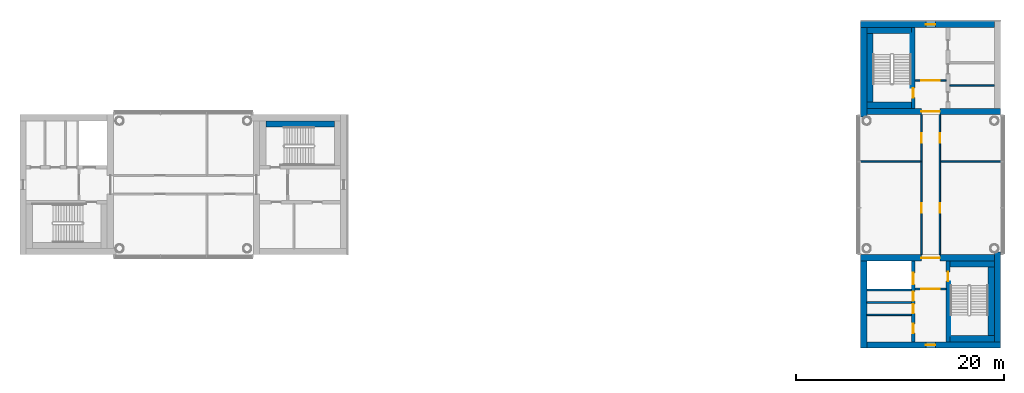
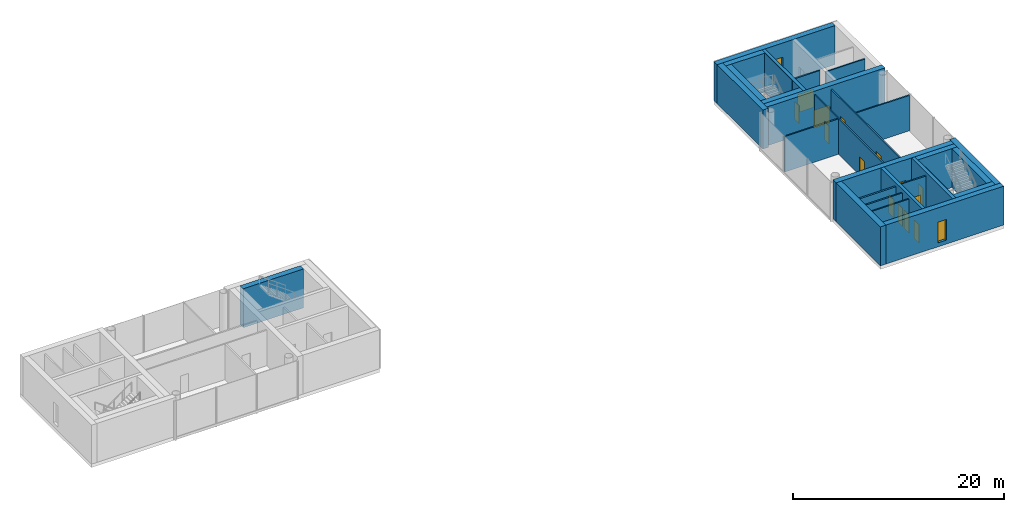
# One storey, part 6 of 12: 29 walls, 14 doors, 2 windows, 16 openings.
"""IFC4 building model written with IfcOpenShell, lengths in metres."""

from ifc_helpers import new_model, si_unit, direction, frame, frame_2d, origin, place, context, subcontext, project, spatial, rectangle, extrude, material, layer, layer_set, type_object, element, fill, save


model = new_model("IFC4")

# Units and contexts
model_context = context("Model", 3, precision=1e-05, world=origin(), true_north=direction((0.0, 1.0)))
body_context = subcontext(model_context, "Body", "Model", "MODEL_VIEW")
ifc_project = project(units=[si_unit("LENGTHUNIT", "METRE"), si_unit("AREAUNIT", "SQUARE_METRE"), si_unit("VOLUMEUNIT", "CUBIC_METRE"), si_unit("PLANEANGLEUNIT", "RADIAN"), si_unit("MASSUNIT", "GRAM", prefix="KILO")], contexts=[model_context])

# Site, building, storey
site_placement = place(None, origin())
site = spatial("IfcSite", under=ifc_project, at=site_placement, CompositionType="ELEMENT")
building_placement = place(site_placement, origin())
building = spatial("IfcBuilding", under=site, at=building_placement, Name="Ipe Terrace Towers", CompositionType="ELEMENT")
storey_placement = place(building_placement, frame((0.0, 0.0, 260.39990234375)))
storey = spatial("IfcBuildingStorey", under=building, at=storey_placement, Name="L71", CompositionType="ELEMENT", Elevation=260.39990234375)

# Wall, opening, door
ifc_material_1 = material(Name="Gypsum board partition", Category="plasterboard")
ifc_layer_1 = layer(ifc_material_1, 0.14990234375)
ifc_layer_set_1 = layer_set([ifc_layer_1], Name="Gypsum board partition 150 mm")
wall_type_1 = type_object("IfcWallType", Name="Gypsum board partition 150 mm", PredefinedType="PARTITIONING", material=ifc_layer_set_1)
wall_1_placement = place(storey_placement, frame((37.5, 10.050048828125, 0.0), z_axis=(0.0, 0.0, 1.0), x_axis=(-1.0, 0.0, 0.0)))
wall_1 = element("IfcWall", 1, at=wall_1_placement, inside=storey, type_object=wall_type_1, Name="Gypsum board partition T2 L71 t2c1-lobby-wall", PredefinedType="PARTITIONING", context=body_context, shape_type="SweptSolid", body=[
    extrude(rectangle(XDim=3.0, YDim=0.14990234375, at=frame_2d((1.5, 0.0))), origin(), (0.0, 0.0, 1.0), 4.090087890625),
])
opening_1_placement = place(wall_1_placement, frame((0.60009765625, 0.0, 0.0)))
opening_1 = element("IfcOpeningElement", 2, at=opening_1_placement, cuts=wall_1, Name="Opening T2C1-VD", PredefinedType="OPENING", context=body_context, shape_type="SweptSolid", body=[
    extrude(rectangle(XDim=1.800048828125, YDim=2.10009765625, at=frame_2d((0.89990234375, 1.050048828125))), frame((0.0, 0.0849609375, 0.0), z_axis=(0.0, -1.0, 0.0), x_axis=(1.0, 0.0, 0.0)), (0.0, 0.0, 1.0), 0.169921875),
])
ifc_material_2 = material(Name="Fire-rated timber door leaf", Category="wood")
door_type_1 = type_object("IfcDoorType", Name="Lobby door 1800 x 2100 FD60", OperationType="NOTDEFINED", PredefinedType="DOOR", material=ifc_material_2)
door_1_placement = place(opening_1_placement, origin())
door_1 = element("IfcDoor", 3, at=door_1_placement, inside=storey, type_object=door_type_1, Name="Lobby door T2C1-VD", OperationType="SINGLE_SWING_LEFT", OverallHeight=2.10009765625, OverallWidth=1.800048828125, PredefinedType="DOOR", context=body_context, shape_type="SweptSolid", body=[
    extrude(rectangle(XDim=1.800048828125, YDim=2.10009765625, at=frame_2d((0.89990234375, 1.050048828125))), frame((0.0, 0.02490234375, 0.0), z_axis=(0.0, -1.0, 0.0), x_axis=(1.0, 0.0, 0.0)), (0.0, 0.0, 1.0), 0.050048828125),
])
fill(opening_1, door_1)

# Wall
wall_2_placement = place(storey_placement, frame((42.14990234375, 9.550048828125, 0.0), z_axis=(0.0, 0.0, 1.0), x_axis=(-1.0, 0.0, 0.0)))
element("IfcWall", 4, at=wall_2_placement, inside=storey, type_object=wall_type_1, Name="Gypsum board partition T2 L71 t2c1-p2-div", PredefinedType="PARTITIONING", context=body_context, shape_type="SweptSolid", body=[
    extrude(rectangle(XDim=4.2998046875, YDim=0.14990234375, at=frame_2d((2.14990234375, 0.0))), origin(), (0.0, 0.0, 1.0), 4.090087890625),
])

# Wall, opening, door
wall_3_placement = place(storey_placement, frame((34.5, -10.050048828125, 0.0), z_axis=(0.0, 0.0, 1.0), x_axis=(1.0, 0.0, 0.0)))
wall_3 = element("IfcWall", 5, at=wall_3_placement, inside=storey, type_object=wall_type_1, Name="Gypsum board partition T2 L71 t2c2-lobby-wall", PredefinedType="PARTITIONING", context=body_context, shape_type="SweptSolid", body=[
    extrude(rectangle(XDim=3.0, YDim=0.14990234375, at=frame_2d((1.5, 0.0))), origin(), (0.0, 0.0, 1.0), 4.090087890625),
])
opening_2_placement = place(wall_3_placement, frame((0.60009765625, 0.0, 0.0)))
opening_2 = element("IfcOpeningElement", 6, at=opening_2_placement, cuts=wall_3, Name="Opening T2C2-VD", PredefinedType="OPENING", context=body_context, shape_type="SweptSolid", body=[
    extrude(rectangle(XDim=1.800048828125, YDim=2.10009765625, at=frame_2d((0.89990234375, 1.050048828125))), frame((0.0, 0.0849609375, 0.0), z_axis=(0.0, -1.0, 0.0), x_axis=(1.0, 0.0, 0.0)), (0.0, 0.0, 1.0), 0.169921875),
])
door_2_placement = place(opening_2_placement, origin())
door_2 = element("IfcDoor", 7, at=door_2_placement, inside=storey, type_object=door_type_1, Name="Lobby door T2C2-VD", OperationType="SINGLE_SWING_LEFT", OverallHeight=2.10009765625, OverallWidth=1.800048828125, PredefinedType="DOOR", context=body_context, shape_type="SweptSolid", body=[
    extrude(rectangle(XDim=1.800048828125, YDim=2.10009765625, at=frame_2d((0.89990234375, 1.050048828125))), frame((0.0, 0.02490234375, 0.0), z_axis=(0.0, -1.0, 0.0), x_axis=(1.0, 0.0, 0.0)), (0.0, 0.0, 1.0), 0.050048828125),
])
fill(opening_2, door_2)

# Walls
for number, where, z_axis, x_axis, name in (
    (8, (29.85009765625, -11.35009765625, 0.0), (0.0, 0.0, 1.0), (1.0, 0.0, 0.0), "Gypsum board partition T2 L71 t2c2-q2-div"),
    (9, (29.85009765625, -12.550048828125, 0.0), (0.0, 0.0, 1.0), (1.0, 0.0, 0.0), "Gypsum board partition T2 L71 t2c2-q3-div"),
):
    element("IfcWall", number, at=place(storey_placement, frame(where, z_axis=z_axis, x_axis=x_axis)), inside=storey, type_object=wall_type_1, Name=name, PredefinedType="PARTITIONING", context=body_context, shape_type="SweptSolid", body=[
        extrude(rectangle(XDim=4.2998046875, YDim=0.14990234375, at=frame_2d((2.14990234375, 0.0))), origin(), (0.0, 0.0, 1.0), 4.090087890625),
    ])

# Wall, openings, doors
wall_4_placement = place(storey_placement, frame((35.10009765625, -6.75, 0.0), z_axis=(0.0, 0.0, 1.0), x_axis=(0.0, 1.0, 0.0)))
wall_4 = element("IfcWall", 10, at=wall_4_placement, inside=storey, type_object=wall_type_1, Name="Gypsum board partition T2 L71 sp-hub-wp", PredefinedType="PARTITIONING", context=body_context, shape_type="SweptSolid", body=[
    extrude(rectangle(XDim=13.5, YDim=0.14990234375, at=frame_2d((6.75, 0.0))), origin(), (0.0, 0.0, 1.0), 4.090087890625),
])
opening_3_placement = place(wall_4_placement, frame((4.050048828125, 0.0, 0.0)))
opening_3 = element("IfcOpeningElement", 11, at=opening_3_placement, cuts=wall_4, Name="Opening T2-SP-HP1", PredefinedType="OPENING", context=body_context, shape_type="SweptSolid", body=[
    extrude(rectangle(XDim=0.89990234375, YDim=2.10009765625, at=frame_2d((0.449951171875, 1.050048828125))), frame((0.0, 0.0849609375, 0.0), z_axis=(0.0, -1.0, 0.0), x_axis=(1.0, 0.0, 0.0)), (0.0, 0.0, 1.0), 0.169921875),
])
opening_4_placement = place(wall_4_placement, frame((10.800048828125, 0.0, 0.0)))
opening_4 = element("IfcOpeningElement", 12, at=opening_4_placement, cuts=wall_4, Name="Opening T2-SP-HP2", PredefinedType="OPENING", context=body_context, shape_type="SweptSolid", body=[
    extrude(rectangle(XDim=0.89990234375, YDim=2.10009765625, at=frame_2d((0.449951171875, 1.050048828125))), frame((0.0, 0.0849609375, 0.0), z_axis=(0.0, -1.0, 0.0), x_axis=(1.0, 0.0, 0.0)), (0.0, 0.0, 1.0), 0.169921875),
])
ifc_material_3 = material(Name="Fire-rated timber door leaf", Category="wood")
door_type_2 = type_object("IfcDoorType", Name="Service door 900 x 2100 FD60", OperationType="NOTDEFINED", PredefinedType="DOOR", material=ifc_material_3)
door_3_placement = place(opening_3_placement, origin())
door_3 = element("IfcDoor", 13, at=door_3_placement, inside=storey, type_object=door_type_2, Name="Service door T2-SP-HP1", OperationType="SINGLE_SWING_RIGHT", OverallHeight=2.10009765625, OverallWidth=0.89990234375, PredefinedType="DOOR", context=body_context, shape_type="SweptSolid", body=[
    extrude(rectangle(XDim=0.89990234375, YDim=2.10009765625, at=frame_2d((0.449951171875, 1.050048828125))), frame((0.0, 0.02490234375, 0.0), z_axis=(0.0, -1.0, 0.0), x_axis=(1.0, 0.0, 0.0)), (0.0, 0.0, 1.0), 0.050048828125),
])
fill(opening_3, door_3)
door_4_placement = place(opening_4_placement, origin())
door_4 = element("IfcDoor", 14, at=door_4_placement, inside=storey, type_object=door_type_2, Name="Service door T2-SP-HP2", OperationType="SINGLE_SWING_LEFT", OverallHeight=2.10009765625, OverallWidth=0.89990234375, PredefinedType="DOOR", context=body_context, shape_type="SweptSolid", body=[
    extrude(rectangle(XDim=0.89990234375, YDim=2.10009765625, at=frame_2d((0.449951171875, 1.050048828125))), frame((0.0, 0.02490234375, 0.0), z_axis=(0.0, -1.0, 0.0), x_axis=(1.0, 0.0, 0.0)), (0.0, 0.0, 1.0), 0.050048828125),
])
fill(opening_4, door_4)

# Wall
wall_5_placement = place(storey_placement, frame((35.02490234375, 2.25, 0.0), z_axis=(0.0, 0.0, 1.0), x_axis=(-1.0, 0.0, 0.0)))
element("IfcWall", 15, at=wall_5_placement, inside=storey, type_object=wall_type_1, Name="Gypsum board partition T2 L71 sp-hub-dp", PredefinedType="PARTITIONING", context=body_context, shape_type="SweptSolid", body=[
    extrude(rectangle(XDim=5.875, YDim=0.14990234375, at=frame_2d((2.9375, 0.0))), origin(), (0.0, 0.0, 1.0), 4.090087890625),
])

# Wall, openings, doors
wall_6_placement = place(storey_placement, frame((36.89990234375, -6.75, 0.0), z_axis=(0.0, 0.0, 1.0), x_axis=(0.0, 1.0, 0.0)))
wall_6 = element("IfcWall", 16, at=wall_6_placement, inside=storey, type_object=wall_type_1, Name="Gypsum board partition T2 L71 sp-hub-wm", PredefinedType="PARTITIONING", context=body_context, shape_type="SweptSolid", body=[
    extrude(rectangle(XDim=13.5, YDim=0.14990234375, at=frame_2d((6.75, 0.0))), origin(), (0.0, 0.0, 1.0), 4.090087890625),
])
opening_5_placement = place(wall_6_placement, frame((4.050048828125, 0.0, 0.0)))
opening_5 = element("IfcOpeningElement", 17, at=opening_5_placement, cuts=wall_6, Name="Opening T2-SP-HM1", PredefinedType="OPENING", context=body_context, shape_type="SweptSolid", body=[
    extrude(rectangle(XDim=0.89990234375, YDim=2.10009765625, at=frame_2d((0.449951171875, 1.050048828125))), frame((0.0, 0.0849609375, 0.0), z_axis=(0.0, -1.0, 0.0), x_axis=(1.0, 0.0, 0.0)), (0.0, 0.0, 1.0), 0.169921875),
])
opening_6_placement = place(wall_6_placement, frame((10.800048828125, 0.0, 0.0)))
opening_6 = element("IfcOpeningElement", 18, at=opening_6_placement, cuts=wall_6, Name="Opening T2-SP-HM2", PredefinedType="OPENING", context=body_context, shape_type="SweptSolid", body=[
    extrude(rectangle(XDim=0.89990234375, YDim=2.10009765625, at=frame_2d((0.449951171875, 1.050048828125))), frame((0.0, 0.0849609375, 0.0), z_axis=(0.0, -1.0, 0.0), x_axis=(1.0, 0.0, 0.0)), (0.0, 0.0, 1.0), 0.169921875),
])
door_5_placement = place(opening_5_placement, origin())
door_5 = element("IfcDoor", 19, at=door_5_placement, inside=storey, type_object=door_type_2, Name="Service door T2-SP-HM1", OperationType="SINGLE_SWING_LEFT", OverallHeight=2.10009765625, OverallWidth=0.89990234375, PredefinedType="DOOR", context=body_context, shape_type="SweptSolid", body=[
    extrude(rectangle(XDim=0.89990234375, YDim=2.10009765625, at=frame_2d((0.449951171875, 1.050048828125))), frame((0.0, 0.02490234375, 0.0), z_axis=(0.0, -1.0, 0.0), x_axis=(1.0, 0.0, 0.0)), (0.0, 0.0, 1.0), 0.050048828125),
])
fill(opening_5, door_5)
door_6_placement = place(opening_6_placement, origin())
door_6 = element("IfcDoor", 20, at=door_6_placement, inside=storey, type_object=door_type_2, Name="Service door T2-SP-HM2", OperationType="SINGLE_SWING_RIGHT", OverallHeight=2.10009765625, OverallWidth=0.89990234375, PredefinedType="DOOR", context=body_context, shape_type="SweptSolid", body=[
    extrude(rectangle(XDim=0.89990234375, YDim=2.10009765625, at=frame_2d((0.449951171875, 1.050048828125))), frame((0.0, 0.02490234375, 0.0), z_axis=(0.0, -1.0, 0.0), x_axis=(1.0, 0.0, 0.0)), (0.0, 0.0, 1.0), 0.050048828125),
])
fill(opening_6, door_6)

# Walls
wall_7_placement = place(storey_placement, frame((36.97509765625, 2.25, 0.0), z_axis=(0.0, 0.0, 1.0), x_axis=(1.0, 0.0, 0.0)))
element("IfcWall", 21, at=wall_7_placement, inside=storey, type_object=wall_type_1, Name="Gypsum board partition T2 L71 sp-hub-dm", PredefinedType="PARTITIONING", context=body_context, shape_type="SweptSolid", body=[
    extrude(rectangle(XDim=5.875, YDim=0.14990234375, at=frame_2d((2.9375, 0.0))), origin(), (0.0, 0.0, 1.0), 4.090087890625),
])
ifc_material_4 = material(Name="Gypsum board party wall", Category="plasterboard")
ifc_layer_2 = layer(ifc_material_4, 0.199951171875)
ifc_layer_set_2 = layer_set([ifc_layer_2], Name="Gypsum board party wall 200 mm")
wall_type_2 = type_object("IfcWallType", Name="Gypsum board party wall 200 mm", PredefinedType="SOLIDWALL", material=ifc_layer_set_2)
wall_8_placement = place(storey_placement, frame((29.85009765625, -10.14990234375, 0.0), z_axis=(0.0, 0.0, 1.0), x_axis=(1.0, 0.0, 0.0)))
element("IfcWall", 22, at=wall_8_placement, inside=storey, type_object=wall_type_2, Name="Gypsum board party wall T2 L71 t2c2-shaft-div1", PredefinedType="SOLIDWALL", context=body_context, shape_type="SweptSolid", body=[
    extrude(rectangle(XDim=4.2998046875, YDim=0.199951171875, at=frame_2d((2.14990234375, 0.0))), origin(), (0.0, 0.0, 1.0), 4.090087890625),
])

# Wall, opening, door
ifc_material_5 = material(Name="Concrete C40/50", Category="concrete")
ifc_layer_3 = layer(ifc_material_5, 0.35009765625)
ifc_layer_set_3 = layer_set([ifc_layer_3], Name="RW350 CORE SPINE WALL 350 C40-50")
wall_type_3 = type_object("IfcWallType", Name="RW350 CORE SPINE WALL 350 C40-50", PredefinedType="SHEAR", material=ifc_layer_set_3)
wall_9_placement = place(storey_placement, frame((34.324951171875, 7.35009765625, 0.0), z_axis=(0.0, 0.0, 1.0), x_axis=(0.0, 1.0, 0.0)))
wall_9 = element("IfcWall", 23, at=wall_9_placement, inside=storey, type_object=wall_type_3, Name="Core spine wall T2-C1-Z4-SW1", PredefinedType="SHEAR", context=body_context, shape_type="SweptSolid", body=[
    extrude(rectangle(XDim=7.7998046875, YDim=0.35009765625, at=frame_2d((3.89990234375, 0.0))), origin(), (0.0, 0.0, 1.0), 4.5),
])
opening_7_placement = place(wall_9_placement, frame((1.050048828125, 0.0, 0.0)))
opening_7 = element("IfcOpeningElement", 24, at=opening_7_placement, cuts=wall_9, Name="Opening T2C1-SD", PredefinedType="OPENING", context=body_context, shape_type="SweptSolid", body=[
    extrude(rectangle(XDim=0.89990234375, YDim=2.10009765625, at=frame_2d((0.449951171875, 1.050048828125))), frame((0.0, 0.18505859375, 0.0), z_axis=(0.0, -1.0, 0.0), x_axis=(1.0, 0.0, 0.0)), (0.0, 0.0, 1.0), 0.3701171875),
])
ifc_material_6 = material(Name="Fire-rated timber door leaf", Category="wood")
door_type_3 = type_object("IfcDoorType", Name="Stair door 900 x 2100 FD60", OperationType="NOTDEFINED", PredefinedType="DOOR", material=ifc_material_6)
door_7_placement = place(opening_7_placement, origin())
door_7 = element("IfcDoor", 25, at=door_7_placement, inside=storey, type_object=door_type_3, Name="Stair door T2C1-SD", OperationType="SINGLE_SWING_LEFT", OverallHeight=2.10009765625, OverallWidth=0.89990234375, PredefinedType="DOOR", context=body_context, shape_type="SweptSolid", body=[
    extrude(rectangle(XDim=0.89990234375, YDim=2.10009765625, at=frame_2d((0.449951171875, 1.050048828125))), frame((0.0, 0.02490234375, 0.0), z_axis=(0.0, -1.0, 0.0), x_axis=(1.0, 0.0, 0.0)), (0.0, 0.0, 1.0), 0.050048828125),
])
fill(opening_7, door_7)

# Wall, openings, doors
wall_10_placement = place(storey_placement, frame((34.324951171875, -15.14990234375, 0.0), z_axis=(0.0, 0.0, 1.0), x_axis=(0.0, 1.0, 0.0)))
wall_10 = element("IfcWall", 26, at=wall_10_placement, inside=storey, type_object=wall_type_3, Name="Core spine wall T2-C2-Z4-SW1", PredefinedType="SHEAR", context=body_context, shape_type="SweptSolid", body=[
    extrude(rectangle(XDim=7.7998046875, YDim=0.35009765625, at=frame_2d((3.89990234375, 0.0))), origin(), (0.0, 0.0, 1.0), 4.5),
])
opening_8_placement = place(wall_10_placement, frame((5.550048828125, 0.0, 0.0)))
opening_8 = element("IfcOpeningElement", 27, at=opening_8_placement, cuts=wall_10, Name="Opening T2C2-LD1", PredefinedType="OPENING", context=body_context, shape_type="SweptSolid", body=[
    extrude(rectangle(XDim=1.10009765625, YDim=2.10009765625, at=frame_2d((0.550048828125, 1.050048828125))), frame((0.0, 0.18505859375, 0.0), z_axis=(0.0, -1.0, 0.0), x_axis=(1.0, 0.0, 0.0)), (0.0, 0.0, 1.0), 0.3701171875),
])
opening_9_placement = place(wall_10_placement, frame((3.949951171875, 0.0, 0.0)))
opening_9 = element("IfcOpeningElement", 28, at=opening_9_placement, cuts=wall_10, Name="Opening T2C2-R1", PredefinedType="OPENING", context=body_context, shape_type="SweptSolid", body=[
    extrude(rectangle(XDim=0.89990234375, YDim=2.10009765625, at=frame_2d((0.449951171875, 1.050048828125))), frame((0.0, 0.18505859375, 0.0), z_axis=(0.0, -1.0, 0.0), x_axis=(1.0, 0.0, 0.0)), (0.0, 0.0, 1.0), 0.3701171875),
])
opening_10_placement = place(wall_10_placement, frame((2.75, 0.0, 0.0)))
opening_10 = element("IfcOpeningElement", 29, at=opening_10_placement, cuts=wall_10, Name="Opening T2C2-R2", PredefinedType="OPENING", context=body_context, shape_type="SweptSolid", body=[
    extrude(rectangle(XDim=0.89990234375, YDim=2.10009765625, at=frame_2d((0.449951171875, 1.050048828125))), frame((0.0, 0.18505859375, 0.0), z_axis=(0.0, -1.0, 0.0), x_axis=(1.0, 0.0, 0.0)), (0.0, 0.0, 1.0), 0.3701171875),
])
opening_11_placement = place(wall_10_placement, frame((0.85009765625, 0.0, 0.0)))
opening_11 = element("IfcOpeningElement", 30, at=opening_11_placement, cuts=wall_10, Name="Opening T2C2-R3", PredefinedType="OPENING", context=body_context, shape_type="SweptSolid", body=[
    extrude(rectangle(XDim=0.89990234375, YDim=2.10009765625, at=frame_2d((0.449951171875, 1.050048828125))), frame((0.0, 0.18505859375, 0.0), z_axis=(0.0, -1.0, 0.0), x_axis=(1.0, 0.0, 0.0)), (0.0, 0.0, 1.0), 0.3701171875),
])
ifc_material_7 = material(Name="Fire-rated timber door leaf", Category="wood")
door_type_4 = type_object("IfcDoorType", Name="Sliding door 1100 x 2100 FD60", OperationType="SLIDING_TO_LEFT", PredefinedType="DOOR", material=ifc_material_7)
door_8_placement = place(opening_8_placement, origin())
door_8 = element("IfcDoor", 31, at=door_8_placement, inside=storey, type_object=door_type_4, Name="Sliding door T2C2-LD1", OperationType="SLIDING_TO_LEFT", OverallHeight=2.10009765625, OverallWidth=1.10009765625, PredefinedType="DOOR", context=body_context, shape_type="SweptSolid", body=[
    extrude(rectangle(XDim=1.10009765625, YDim=2.10009765625, at=frame_2d((0.550048828125, 1.050048828125))), frame((0.0, 0.02490234375, 0.0), z_axis=(0.0, -1.0, 0.0), x_axis=(1.0, 0.0, 0.0)), (0.0, 0.0, 1.0), 0.050048828125),
])
fill(opening_8, door_8)
ifc_material_8 = material(Name="Timber door leaf", Category="wood")
door_type_5 = type_object("IfcDoorType", Name="Store door 900 x 2100", OperationType="NOTDEFINED", PredefinedType="DOOR", material=ifc_material_8)
door_9_placement = place(opening_9_placement, origin())
door_9 = element("IfcDoor", 32, at=door_9_placement, inside=storey, type_object=door_type_5, Name="Store door T2C2-R1", OperationType="SINGLE_SWING_LEFT", OverallHeight=2.10009765625, OverallWidth=0.89990234375, PredefinedType="DOOR", context=body_context, shape_type="SweptSolid", body=[
    extrude(rectangle(XDim=0.89990234375, YDim=2.10009765625, at=frame_2d((0.449951171875, 1.050048828125))), frame((0.0, 0.02490234375, 0.0), z_axis=(0.0, -1.0, 0.0), x_axis=(1.0, 0.0, 0.0)), (0.0, 0.0, 1.0), 0.050048828125),
])
fill(opening_9, door_9)
door_10_placement = place(opening_10_placement, origin())
door_10 = element("IfcDoor", 33, at=door_10_placement, inside=storey, type_object=door_type_5, Name="Store door T2C2-R2", OperationType="SINGLE_SWING_RIGHT", OverallHeight=2.10009765625, OverallWidth=0.89990234375, PredefinedType="DOOR", context=body_context, shape_type="SweptSolid", body=[
    extrude(rectangle(XDim=0.89990234375, YDim=2.10009765625, at=frame_2d((0.449951171875, 1.050048828125))), frame((0.0, 0.02490234375, 0.0), z_axis=(0.0, -1.0, 0.0), x_axis=(1.0, 0.0, 0.0)), (0.0, 0.0, 1.0), 0.050048828125),
])
fill(opening_10, door_10)
door_11_placement = place(opening_11_placement, origin())
door_11 = element("IfcDoor", 34, at=door_11_placement, inside=storey, type_object=door_type_5, Name="Store door T2C2-R3", OperationType="SINGLE_SWING_LEFT", OverallHeight=2.10009765625, OverallWidth=0.89990234375, PredefinedType="DOOR", context=body_context, shape_type="SweptSolid", body=[
    extrude(rectangle(XDim=0.89990234375, YDim=2.10009765625, at=frame_2d((0.449951171875, 1.050048828125))), frame((0.0, 0.02490234375, 0.0), z_axis=(0.0, -1.0, 0.0), x_axis=(1.0, 0.0, 0.0)), (0.0, 0.0, 1.0), 0.050048828125),
])
fill(opening_11, door_11)

# Wall, opening, door
wall_11_placement = place(storey_placement, frame((37.675048828125, -15.14990234375, 0.0), z_axis=(0.0, 0.0, 1.0), x_axis=(0.0, 1.0, 0.0)))
wall_11 = element("IfcWall", 35, at=wall_11_placement, inside=storey, type_object=wall_type_3, Name="Core spine wall T2-C2-Z4-SW2", PredefinedType="SHEAR", context=body_context, shape_type="SweptSolid", body=[
    extrude(rectangle(XDim=7.7998046875, YDim=0.35009765625, at=frame_2d((3.89990234375, 0.0))), origin(), (0.0, 0.0, 1.0), 4.5),
])
opening_12_placement = place(wall_11_placement, frame((5.85009765625, 0.0, 0.0)))
opening_12 = element("IfcOpeningElement", 36, at=opening_12_placement, cuts=wall_11, Name="Opening T2C2-SD", PredefinedType="OPENING", context=body_context, shape_type="SweptSolid", body=[
    extrude(rectangle(XDim=0.89990234375, YDim=2.10009765625, at=frame_2d((0.449951171875, 1.050048828125))), frame((0.0, 0.18505859375, 0.0), z_axis=(0.0, -1.0, 0.0), x_axis=(1.0, 0.0, 0.0)), (0.0, 0.0, 1.0), 0.3701171875),
])
door_12_placement = place(opening_12_placement, origin())
door_12 = element("IfcDoor", 37, at=door_12_placement, inside=storey, type_object=door_type_3, Name="Stair door T2C2-SD", OperationType="SINGLE_SWING_RIGHT", OverallHeight=2.10009765625, OverallWidth=0.89990234375, PredefinedType="DOOR", context=body_context, shape_type="SweptSolid", body=[
    extrude(rectangle(XDim=0.89990234375, YDim=2.10009765625, at=frame_2d((0.449951171875, 1.050048828125))), frame((0.0, 0.02490234375, 0.0), z_axis=(0.0, -1.0, 0.0), x_axis=(1.0, 0.0, 0.0)), (0.0, 0.0, 1.0), 0.050048828125),
])
fill(opening_12, door_12)

# Walls
ifc_material_9 = material(Name="Concrete C40/50", Category="concrete")
ifc_layer_4 = layer(ifc_material_9, 0.050048828125)
ifc_layer_set_4 = layer_set([ifc_layer_4], Name="RW50 CORE INFILL WALL 50 C40-50")
wall_type_4 = type_object("IfcWallType", Name="RW50 CORE INFILL WALL 50 C40-50", PredefinedType="SHEAR", material=ifc_layer_set_4)
for number, where, z_axis, x_axis, name in (
    (38, (34.125, 9.35009765625, 0.0), (0.0, 0.0, 1.0), (0.0, 1.0, 0.0), "Core infill wall T2-C1-spine-b"),
    (39, (37.875, -9.35009765625, 0.0), (0.0, 0.0, 1.0), (0.0, -1.0, 0.0), "Core infill wall T2-C2-spine-b"),
):
    element("IfcWall", number, at=place(storey_placement, frame(where, z_axis=z_axis, x_axis=x_axis)), inside=storey, type_object=wall_type_4, Name=name, PredefinedType="SHEAR", context=body_context, shape_type="SweptSolid", body=[
        extrude(rectangle(XDim=5.199951171875, YDim=0.050048828125, at=frame_2d((2.60009765625, 0.0))), origin(), (0.0, 0.0, 1.0), 4.5),
    ])
ifc_material_10 = material(Name="Concrete C40/50", Category="concrete")
ifc_layer_5 = layer(ifc_material_10, 0.60009765625)
ifc_layer_set_5 = layer_set([ifc_layer_5], Name="RW600 CORE INFILL WALL 600 C40-50")
wall_type_5 = type_object("IfcWallType", Name="RW600 CORE INFILL WALL 600 C40-50", PredefinedType="SHEAR", material=ifc_layer_set_5)
wall_12_placement = place(storey_placement, frame((-28.050048828125, 5.85009765625, 0.0), z_axis=(0.0, 0.0, 1.0), x_axis=(1.0, 0.0, 0.0)))
element("IfcWall", 40, at=wall_12_placement, inside=storey, type_object=wall_type_5, Name="Core infill wall T1-C1-back", PredefinedType="SHEAR", context=body_context, shape_type="SweptSolid", body=[
    extrude(rectangle(XDim=6.60009765625, YDim=0.60009765625, at=frame_2d((3.300048828125, 0.0))), origin(), (0.0, 0.0, 1.0), 4.5),
])
wall_13_placement = place(storey_placement, frame((34.14990234375, 14.85009765625, 0.0), z_axis=(0.0, 0.0, 1.0), x_axis=(-1.0, 0.0, 0.0)))
element("IfcWall", 41, at=wall_13_placement, inside=storey, type_object=wall_type_5, Name="Core infill wall T2-C1-far", PredefinedType="SHEAR", context=body_context, shape_type="SweptSolid", body=[
    extrude(rectangle(XDim=4.2998046875, YDim=0.60009765625, at=frame_2d((2.14990234375, 0.0))), origin(), (0.0, 0.0, 1.0), 4.5),
])
wall_14_placement = place(storey_placement, frame((30.14990234375, 7.949951171875, 0.0), z_axis=(0.0, 0.0, 1.0), x_axis=(0.0, 1.0, 0.0)))
element("IfcWall", 42, at=wall_14_placement, inside=storey, type_object=wall_type_5, Name="Core infill wall T2-C1-back", PredefinedType="SHEAR", context=body_context, shape_type="SweptSolid", body=[
    extrude(rectangle(XDim=6.60009765625, YDim=0.60009765625, at=frame_2d((3.300048828125, 0.0))), origin(), (0.0, 0.0, 1.0), 4.5),
])
for number, where, z_axis, x_axis, name in (
    (43, (34.14990234375, 7.64990234375, 0.0), (0.0, 0.0, 1.0), (-1.0, 0.0, 0.0), "Core infill wall T2-C1-near"),
    (44, (37.85009765625, -14.85009765625, 0.0), (0.0, 0.0, 1.0), (1.0, 0.0, 0.0), "Core infill wall T2-C2-far"),
):
    element("IfcWall", number, at=place(storey_placement, frame(where, z_axis=z_axis, x_axis=x_axis)), inside=storey, type_object=wall_type_5, Name=name, PredefinedType="SHEAR", context=body_context, shape_type="SweptSolid", body=[
        extrude(rectangle(XDim=4.2998046875, YDim=0.60009765625, at=frame_2d((2.14990234375, 0.0))), origin(), (0.0, 0.0, 1.0), 4.5),
    ])
wall_15_placement = place(storey_placement, frame((41.85009765625, -7.949951171875, 0.0), z_axis=(0.0, 0.0, 1.0), x_axis=(0.0, -1.0, 0.0)))
element("IfcWall", 45, at=wall_15_placement, inside=storey, type_object=wall_type_5, Name="Core infill wall T2-C2-back", PredefinedType="SHEAR", context=body_context, shape_type="SweptSolid", body=[
    extrude(rectangle(XDim=6.60009765625, YDim=0.60009765625, at=frame_2d((3.300048828125, 0.0))), origin(), (0.0, 0.0, 1.0), 4.5),
])
wall_16_placement = place(storey_placement, frame((37.85009765625, -7.64990234375, 0.0), z_axis=(0.0, 0.0, 1.0), x_axis=(1.0, 0.0, 0.0)))
element("IfcWall", 46, at=wall_16_placement, inside=storey, type_object=wall_type_5, Name="Core infill wall T2-C2-near", PredefinedType="SHEAR", context=body_context, shape_type="SweptSolid", body=[
    extrude(rectangle(XDim=4.2998046875, YDim=0.60009765625, at=frame_2d((2.14990234375, 0.0))), origin(), (0.0, 0.0, 1.0), 4.5),
])

# Wall, opening, door
ifc_material_11 = material(Name="Concrete C40/50", Category="concrete")
ifc_layer_6 = layer(ifc_material_11, 0.60009765625)
ifc_layer_set_6 = layer_set([ifc_layer_6], Name="RW600 CORE WALL 600 C40-50")
wall_type_6 = type_object("IfcWallType", Name="RW600 CORE WALL 600 C40-50", PredefinedType="SHEAR", material=ifc_layer_set_6)
wall_17_placement = place(storey_placement, frame((29.85009765625, 7.050048828125, 0.0), z_axis=(0.0, 0.0, 1.0), x_axis=(1.0, 0.0, 0.0)))
wall_17 = element("IfcWall", 47, at=wall_17_placement, inside=storey, type_object=wall_type_6, Name="Core wall T2-C1-Z4-W01", PredefinedType="SHEAR", context=body_context, shape_type="SweptSolid", body=[
    extrude(rectangle(XDim=12.89990234375, YDim=0.60009765625, at=frame_2d((6.449951171875, 0.0))), origin(), (0.0, 0.0, 1.0), 4.5),
])
opening_13_placement = place(wall_17_placement, frame((5.25, 0.0, 0.0)))
opening_13 = element("IfcOpeningElement", 48, at=opening_13_placement, cuts=wall_17, Name="Opening T2C1-ND", PredefinedType="OPENING", context=body_context, shape_type="SweptSolid", body=[
    extrude(rectangle(XDim=1.800048828125, YDim=2.10009765625, at=frame_2d((0.89990234375, 1.050048828125))), frame((0.0, 0.31005859375, 0.0), z_axis=(0.0, -1.0, 0.0), x_axis=(1.0, 0.0, 0.0)), (0.0, 0.0, 1.0), 0.6201171875),
])
ifc_material_12 = material(Name="Fire-rated timber door leaf", Category="wood")
door_type_6 = type_object("IfcDoorType", Name="Fire door 1800 x 2100 FD30S", OperationType="NOTDEFINED", PredefinedType="DOOR", material=ifc_material_12)
door_13_placement = place(opening_13_placement, origin())
door_13 = element("IfcDoor", 49, at=door_13_placement, inside=storey, type_object=door_type_6, Name="Fire door T2C1-ND", OperationType="SINGLE_SWING_LEFT", OverallHeight=2.10009765625, OverallWidth=1.800048828125, PredefinedType="DOOR", context=body_context, shape_type="SweptSolid", body=[
    extrude(rectangle(XDim=1.800048828125, YDim=2.10009765625, at=frame_2d((0.89990234375, 1.050048828125))), frame((0.0, 0.02490234375, 0.0), z_axis=(0.0, -1.0, 0.0), x_axis=(1.0, 0.0, 0.0)), (0.0, 0.0, 1.0), 0.050048828125),
])
fill(opening_13, door_13)

# Wall, opening, window
wall_18_placement = place(storey_placement, frame((42.14990234375, 15.449951171875, 0.0), z_axis=(0.0, 0.0, 1.0), x_axis=(-1.0, 0.0, 0.0)))
wall_18 = element("IfcWall", 50, at=wall_18_placement, inside=storey, type_object=wall_type_6, Name="Core wall T2-C1-Z4-W03", PredefinedType="SHEAR", context=body_context, shape_type="SweptSolid", body=[
    extrude(rectangle(XDim=12.89990234375, YDim=0.60009765625, at=frame_2d((6.449951171875, 0.0))), origin(), (0.0, 0.0, 1.0), 4.5),
])
opening_14_placement = place(wall_18_placement, frame((5.699951171875, 0.0, 0.449951171875)))
opening_14 = element("IfcOpeningElement", 51, at=opening_14_placement, cuts=wall_18, Name="Opening T2-C1-W-01-L71", PredefinedType="OPENING", context=body_context, shape_type="SweptSolid", body=[
    extrude(rectangle(XDim=0.89990234375, YDim=2.39990234375, at=frame_2d((0.449951171875, 1.199951171875))), frame((0.0, 0.31005859375, 0.0), z_axis=(0.0, -1.0, 0.0), x_axis=(1.0, 0.0, 0.0)), (0.0, 0.0, 1.0), 0.6201171875),
])
ifc_material_13 = material(Name="Fire-resistant glazing EI 60", Category="glass")
window_type = type_object("IfcWindowType", Name="CORRIDOR END SLOT WINDOW 900 x 2400 EI 60", PartitioningType="SINGLE_PANEL", PredefinedType="WINDOW", material=ifc_material_13)
window_1_placement = place(opening_14_placement, origin())
window_1 = element("IfcWindow", 52, at=window_1_placement, inside=storey, type_object=window_type, Name="W-01 window", OverallHeight=2.39990234375, OverallWidth=0.89990234375, PartitioningType="SINGLE_PANEL", PredefinedType="WINDOW", context=body_context, shape_type="SweptSolid", body=[
    extrude(rectangle(XDim=0.89990234375, YDim=2.39990234375, at=frame_2d((0.449951171875, 1.199951171875))), frame((0.0, 0.030029296875, 0.0), z_axis=(0.0, -1.0, 0.0), x_axis=(1.0, 0.0, 0.0)), (0.0, 0.0, 1.0), 0.06005859375),
])
fill(opening_14, window_1)

# Wall
wall_19_placement = place(storey_placement, frame((29.550048828125, 15.14990234375, 0.0), z_axis=(0.0, 0.0, 1.0), x_axis=(0.0, -1.0, 0.0)))
element("IfcWall", 53, at=wall_19_placement, inside=storey, type_object=wall_type_6, Name="Core wall T2-C1-Z4-W04", PredefinedType="SHEAR", context=body_context, shape_type="SweptSolid", body=[
    extrude(rectangle(XDim=8.64794921875, YDim=0.60009765625, at=frame_2d((4.323974609375, 0.0))), origin(), (0.0, 0.0, 1.0), 4.5),
])

# Wall, opening, window
wall_20_placement = place(storey_placement, frame((29.85009765625, -15.449951171875, 0.0), z_axis=(0.0, 0.0, 1.0), x_axis=(1.0, 0.0, 0.0)))
wall_20 = element("IfcWall", 54, at=wall_20_placement, inside=storey, type_object=wall_type_6, Name="Core wall T2-C2-Z4-W01", PredefinedType="SHEAR", context=body_context, shape_type="SweptSolid", body=[
    extrude(rectangle(XDim=12.89990234375, YDim=0.60009765625, at=frame_2d((6.449951171875, 0.0))), origin(), (0.0, 0.0, 1.0), 4.5),
])
opening_15_placement = place(wall_20_placement, frame((5.699951171875, 0.0, 0.449951171875)))
opening_15 = element("IfcOpeningElement", 55, at=opening_15_placement, cuts=wall_20, Name="Opening T2-C2-W-01-L71", PredefinedType="OPENING", context=body_context, shape_type="SweptSolid", body=[
    extrude(rectangle(XDim=0.89990234375, YDim=2.39990234375, at=frame_2d((0.449951171875, 1.199951171875))), frame((0.0, 0.31005859375, 0.0), z_axis=(0.0, -1.0, 0.0), x_axis=(1.0, 0.0, 0.0)), (0.0, 0.0, 1.0), 0.6201171875),
])
window_2_placement = place(opening_15_placement, origin())
window_2 = element("IfcWindow", 56, at=window_2_placement, inside=storey, type_object=window_type, Name="W-01 window", OverallHeight=2.39990234375, OverallWidth=0.89990234375, PartitioningType="SINGLE_PANEL", PredefinedType="WINDOW", context=body_context, shape_type="SweptSolid", body=[
    extrude(rectangle(XDim=0.89990234375, YDim=2.39990234375, at=frame_2d((0.449951171875, 1.199951171875))), frame((0.0, 0.030029296875, 0.0), z_axis=(0.0, -1.0, 0.0), x_axis=(1.0, 0.0, 0.0)), (0.0, 0.0, 1.0), 0.06005859375),
])
fill(opening_15, window_2)

# Wall
wall_21_placement = place(storey_placement, frame((42.449951171875, -15.14990234375, 0.0), z_axis=(0.0, 0.0, 1.0), x_axis=(0.0, 1.0, 0.0)))
element("IfcWall", 57, at=wall_21_placement, inside=storey, type_object=wall_type_6, Name="Core wall T2-C2-Z4-W02", PredefinedType="SHEAR", context=body_context, shape_type="SweptSolid", body=[
    extrude(rectangle(XDim=8.64794921875, YDim=0.60009765625, at=frame_2d((4.323974609375, 0.0))), origin(), (0.0, 0.0, 1.0), 4.5),
])

# Wall, opening, door
wall_22_placement = place(storey_placement, frame((42.14990234375, -7.050048828125, 0.0), z_axis=(0.0, 0.0, 1.0), x_axis=(-1.0, 0.0, 0.0)))
wall_22 = element("IfcWall", 58, at=wall_22_placement, inside=storey, type_object=wall_type_6, Name="Core wall T2-C2-Z4-W03", PredefinedType="SHEAR", context=body_context, shape_type="SweptSolid", body=[
    extrude(rectangle(XDim=12.89990234375, YDim=0.60009765625, at=frame_2d((6.449951171875, 0.0))), origin(), (0.0, 0.0, 1.0), 4.5),
])
opening_16_placement = place(wall_22_placement, frame((5.25, 0.0, 0.0)))
opening_16 = element("IfcOpeningElement", 59, at=opening_16_placement, cuts=wall_22, Name="Opening T2C2-ND", PredefinedType="OPENING", context=body_context, shape_type="SweptSolid", body=[
    extrude(rectangle(XDim=1.800048828125, YDim=2.10009765625, at=frame_2d((0.89990234375, 1.050048828125))), frame((0.0, 0.31005859375, 0.0), z_axis=(0.0, -1.0, 0.0), x_axis=(1.0, 0.0, 0.0)), (0.0, 0.0, 1.0), 0.6201171875),
])
door_14_placement = place(opening_16_placement, origin())
door_14 = element("IfcDoor", 60, at=door_14_placement, inside=storey, type_object=door_type_6, Name="Fire door T2C2-ND", OperationType="SINGLE_SWING_LEFT", OverallHeight=2.10009765625, OverallWidth=1.800048828125, PredefinedType="DOOR", context=body_context, shape_type="SweptSolid", body=[
    extrude(rectangle(XDim=1.800048828125, YDim=2.10009765625, at=frame_2d((0.89990234375, 1.050048828125))), frame((0.0, 0.02490234375, 0.0), z_axis=(0.0, -1.0, 0.0), x_axis=(1.0, 0.0, 0.0)), (0.0, 0.0, 1.0), 0.050048828125),
])
fill(opening_16, door_14)

# Wall
wall_23_placement = place(storey_placement, frame((29.550048828125, -7.35009765625, 0.0), z_axis=(0.0, 0.0, 1.0), x_axis=(0.0, -1.0, 0.0)))
element("IfcWall", 61, at=wall_23_placement, inside=storey, type_object=wall_type_6, Name="Core wall T2-C2-Z4-W04", PredefinedType="SHEAR", context=body_context, shape_type="SweptSolid", body=[
    extrude(rectangle(XDim=8.39990234375, YDim=0.60009765625, at=frame_2d((4.199951171875, 0.0))), origin(), (0.0, 0.0, 1.0), 4.5),
])

save(model, "model.ifc")
